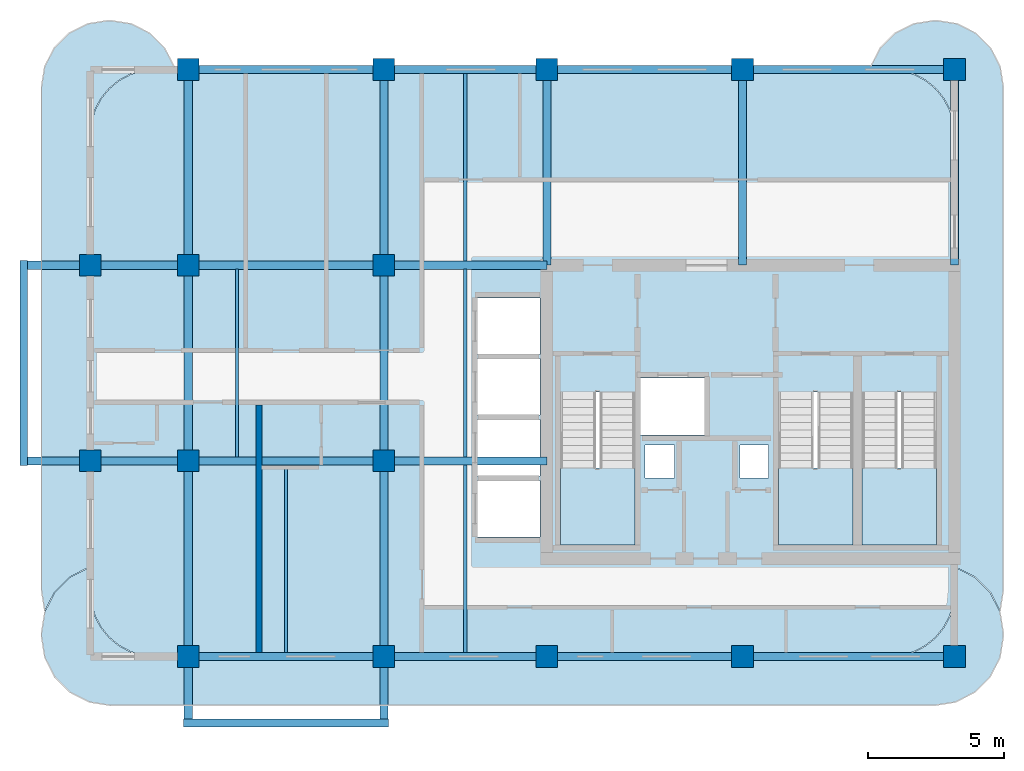
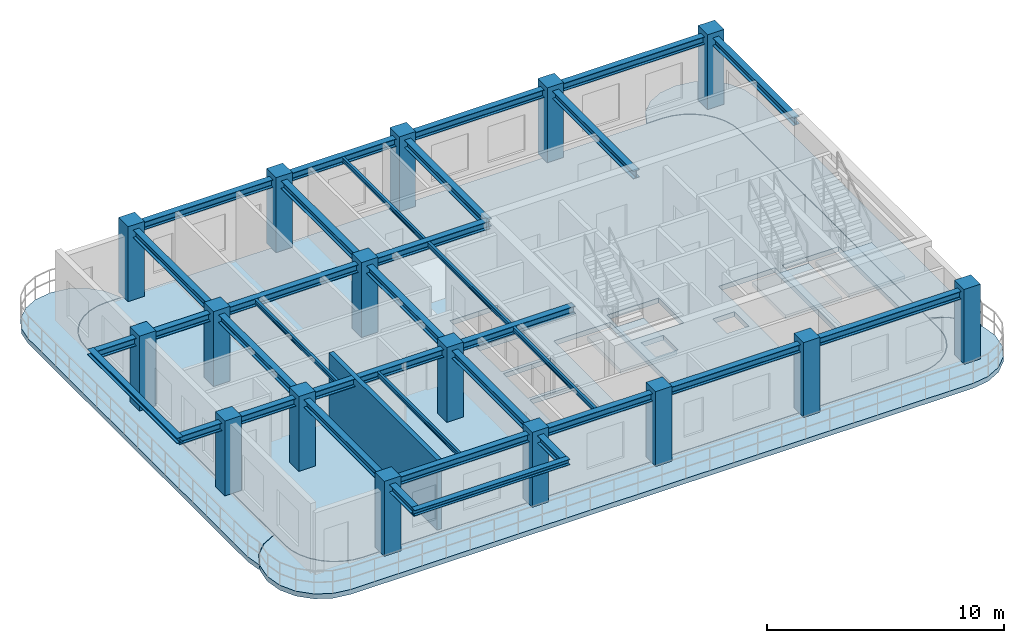
# One storey, part 1 of 7: 28 beams, 16 columns, 7 slabs, 1 wall, 3 elements without a shape of their own.
"""IFC4 building model written with IfcOpenShell, lengths in metres."""

from ifc_helpers import new_model, si_unit, derived_unit, direction, frame, frame_2d, origin, origin_2d, place, context, subcontext, project, spatial, polyline, rectangle, i_section, outline, extrude, source, transform, mapped, material, layer, layer_set, material_profile, profile_set, type_object, type_shapes, element, aggregate, save


model = new_model("IFC4")

# Units and contexts
model_context = context("Model", 3, precision=1e-05, world=origin(), true_north=direction((0.0, 1.0)))
body_context = subcontext(model_context, "Body", "Model", "MODEL_VIEW")
ifc_project = project(units=[si_unit("LENGTHUNIT", "METRE"), si_unit("AREAUNIT", "SQUARE_METRE"), si_unit("VOLUMEUNIT", "CUBIC_METRE"), si_unit("PLANEANGLEUNIT", "RADIAN"), si_unit("MASSUNIT", "GRAM", prefix="KILO"), si_unit("THERMODYNAMICTEMPERATUREUNIT", "KELVIN"), si_unit("POWERUNIT", "WATT"), derived_unit("THERMALTRANSMITTANCEUNIT", [(si_unit("POWERUNIT", "WATT"), 1), (si_unit("AREAUNIT", "SQUARE_METRE"), -1), (si_unit("THERMODYNAMICTEMPERATUREUNIT", "KELVIN"), -1)])], contexts=[model_context])

# Site, building, storey
site_placement = place(None, origin())
site = spatial("IfcSite", under=ifc_project, at=site_placement, CompositionType="ELEMENT")
building_placement = place(site_placement, origin())
building = spatial("IfcBuilding", under=site, at=building_placement, Name="Zahravan Archway Hotel and Residences", CompositionType="ELEMENT")
storey_placement = place(building_placement, frame((0.0, 0.0, 267.35009765625)))
storey = spatial("IfcBuildingStorey", under=building, at=storey_placement, Name="L67", CompositionType="ELEMENT", Elevation=267.35009765625)

# Columns
ifc_material_1 = material(Name="Concrete C50/60", Category="concrete")
ifc_material_profile_1 = material_profile(ifc_material_1, rectangle(XDim=0.800048828125, YDim=0.800048828125, at=origin_2d()), Name="RC-COL-800x800", Category="concrete")
ifc_profile_set_1 = profile_set([ifc_material_profile_1], Name="Concrete C50/60")
column_type = type_object("IfcColumnType", Name="COL-RC-800", PredefinedType="COLUMN", material=ifc_profile_set_1)
shared_shape_1 = source(origin(), body_context, "Body", "SweptSolid", [
    extrude(rectangle(XDim=0.800048828125, YDim=0.800048828125, at=origin_2d()), origin(), (0.0, 0.0, 1.0), 3.849853515625),
])
for number, where, z_axis, x_axis, name in (
    (1, (21.60009765625, 0.0, 0.0), (0.0, 0.0, 1.0), (1.0, 0.0, 0.0), "L67 Column 4-A"),
    (2, (21.60009765625, 7.199951171875, 0.0), (0.0, 0.0, 1.0), (1.0, 0.0, 0.0), "L67 Column 4-B"),
    (3, (21.60009765625, 14.39990234375, 0.0), (0.0, 0.0, 1.0), (1.0, 0.0, 0.0), "L67 Column 4-C"),
    (4, (21.60009765625, 21.60009765625, 0.0), (0.0, 0.0, 1.0), (1.0, 0.0, 0.0), "L67 Column 4-D"),
    (5, (28.800048828125, 0.0, 0.0), (0.0, 0.0, 1.0), (1.0, 0.0, 0.0), "L67 Column 5-A"),
    (6, (28.800048828125, 7.199951171875, 0.0), (0.0, 0.0, 1.0), (1.0, 0.0, 0.0), "L67 Column 5-B"),
    (7, (28.800048828125, 14.39990234375, 0.0), (0.0, 0.0, 1.0), (1.0, 0.0, 0.0), "L67 Column 5-C"),
    (8, (28.800048828125, 21.60009765625, 0.0), (0.0, 0.0, 1.0), (1.0, 0.0, 0.0), "L67 Column 5-D"),
    (9, (34.800048828125, 0.0, 0.0), (0.0, 0.0, 1.0), (1.0, 0.0, 0.0), "L67 Column 6-A"),
    (10, (34.800048828125, 21.60009765625, 0.0), (0.0, 0.0, 1.0), (1.0, 0.0, 0.0), "L67 Column 6-D"),
    (11, (42.0, 0.0, 0.0), (0.0, 0.0, 1.0), (1.0, 0.0, 0.0), "L67 Column 7-A"),
    (12, (42.0, 21.60009765625, 0.0), (0.0, 0.0, 1.0), (1.0, 0.0, 0.0), "L67 Column 7-D"),
    (13, (49.800048828125, 0.0, 0.0), (0.0, 0.0, 1.0), (1.0, 0.0, 0.0), "L67 Column 8-A"),
    (14, (49.800048828125, 21.60009765625, 0.0), (0.0, 0.0, 1.0), (1.0, 0.0, 0.0), "L67 Column 8-D"),
    (15, (18.0, 7.199951171875, 0.0), (0.0, 0.0, 1.0), (1.0, 0.0, 0.0), "L67 Column 3W-B"),
    (16, (18.0, 14.39990234375, 0.0), (0.0, 0.0, 1.0), (1.0, 0.0, 0.0), "L67 Column 3W-C"),
):
    element("IfcColumn", number, at=place(storey_placement, frame(where, z_axis=z_axis, x_axis=x_axis)), inside=storey, type_object=column_type, Name=name, PredefinedType="COLUMN", context=body_context, shape_type="MappedRepresentation", body=[
        mapped(shared_shape_1, transform((0.0, 0.0, 0.0), scale=1.0)),
    ])

# Beams
ifc_material_2 = material(Name="Structural Steel S355JR", Category="steel")
ifc_material_profile_2 = material_profile(ifc_material_2, i_section(OverallWidth=0.280029296875, OverallDepth=0.280029296875, WebThickness=0.010498046875, FlangeThickness=0.01806640625, FilletRadius=0.02392578125, at=origin_2d()), Name="HEB 280", Category="steel")
ifc_profile_set_2 = profile_set([ifc_material_profile_2], Name="Structural Steel S355JR")
beam_type_1 = type_object("IfcBeamType", Name="BM-SPN-HEB280", PredefinedType="SPANDREL", material=ifc_profile_set_2)
shared_shape_2 = source(origin(), body_context, "Body", "SweptSolid", [
    extrude(i_section(OverallWidth=0.280029296875, OverallDepth=0.280029296875, WebThickness=0.010498046875, FlangeThickness=0.01806640625, FilletRadius=0.02392578125, at=origin_2d()), origin(), (0.0, 0.0, 1.0), 7.56005859375),
])
type_shapes(beam_type_1, [shared_shape_2])
for number, where, z_axis, x_axis, name in (
    (17, (15.550048828125, 7.02001953125, 3.4599609375), (0.0, 1.0, 0.0), (-1.0, 0.0, 0.0), "L68 WA Balcony Edge Spandrel"),
    (18, (21.419921875, -2.449951171875, 3.4599609375), (1.0, 0.0, 0.0), (0.0, 1.0, 0.0), "L68 SA Balcony Edge Spandrel"),
):
    element("IfcBeam", number, at=place(storey_placement, frame(where, z_axis=z_axis, x_axis=x_axis)), inside=storey, type_object=beam_type_1, Name=name, PredefinedType="SPANDREL", context=body_context, shape_type="MappedRepresentation", body=[
        mapped(shared_shape_2, transform((0.0, 0.0, 0.0), scale=1.0)),
    ])
ifc_material_profile_3 = material_profile(ifc_material_2, i_section(OverallWidth=0.300048828125, OverallDepth=0.39990234375, WebThickness=0.013427734375, FlangeThickness=0.02392578125, FilletRadius=0.027099609375, at=origin_2d()), Name="HEB 400", Category="steel")
ifc_profile_set_3 = profile_set([ifc_material_profile_3], Name="Structural Steel S355JR")
beam_type_2 = type_object("IfcBeamType", Name="BM-PRI-HEB400", PredefinedType="BEAM", material=ifc_profile_set_3)
shared_shape_3 = source(origin(), body_context, "Body", "SweptSolid", [
    extrude(i_section(OverallWidth=0.300048828125, OverallDepth=0.39990234375, WebThickness=0.013427734375, FlangeThickness=0.02392578125, FilletRadius=0.027099609375, at=origin_2d()), origin(), (0.0, 0.0, 1.0), 7.199951171875),
])
type_shapes(beam_type_2, [shared_shape_3])
for number, where, z_axis, x_axis, name in (
    (19, (21.60009765625, 0.0, 3.39990234375), (1.0, 0.0, 0.0), (0.0, 1.0, 0.0), "L67 Primary Girder EW-01"),
    (20, (34.800048828125, 0.0, 3.39990234375), (1.0, 0.0, 0.0), (0.0, 1.0, 0.0), "L67 Primary Girder EW-03"),
    (21, (21.60009765625, 21.60009765625, 3.39990234375), (1.0, 0.0, 0.0), (0.0, 1.0, 0.0), "L67 Primary Girder EW-09"),
    (22, (34.800048828125, 21.60009765625, 3.39990234375), (1.0, 0.0, 0.0), (0.0, 1.0, 0.0), "L67 Primary Girder EW-11"),
    (23, (21.60009765625, 7.199951171875, 3.39990234375), (0.0, 1.0, 0.0), (-1.0, 0.0, 0.0), "L67 Primary Girder NS-14"),
    (24, (28.800048828125, 7.199951171875, 3.39990234375), (0.0, 1.0, 0.0), (-1.0, 0.0, 0.0), "L67 Primary Girder NS-17"),
):
    element("IfcBeam", number, at=place(storey_placement, frame(where, z_axis=z_axis, x_axis=x_axis)), inside=storey, type_object=beam_type_2, Name=name, PredefinedType="BEAM", context=body_context, shape_type="MappedRepresentation", body=[
        mapped(shared_shape_3, transform((0.0, 0.0, 0.0), scale=1.0)),
    ])
shared_shape_4 = source(origin(), body_context, "Body", "SweptSolid", [
    extrude(i_section(OverallWidth=0.300048828125, OverallDepth=0.39990234375, WebThickness=0.013427734375, FlangeThickness=0.02392578125, FilletRadius=0.027099609375, at=origin_2d()), origin(), (0.0, 0.0, 1.0), 6.0),
])
for number, where, z_axis, x_axis, name in (
    (25, (28.800048828125, 0.0, 3.39990234375), (1.0, 0.0, 0.0), (0.0, 1.0, 0.0), "L67 Primary Girder EW-02"),
    (26, (28.800048828125, 7.199951171875, 3.39990234375), (1.0, 0.0, 0.0), (0.0, 1.0, 0.0), "L67 Primary Girder EW-06"),
    (27, (28.800048828125, 14.39990234375, 3.39990234375), (1.0, 0.0, 0.0), (0.0, 1.0, 0.0), "L67 Primary Girder EW-08"),
    (28, (28.800048828125, 21.60009765625, 3.39990234375), (1.0, 0.0, 0.0), (0.0, 1.0, 0.0), "L67 Primary Girder EW-10"),
):
    element("IfcBeam", number, at=place(storey_placement, frame(where, z_axis=z_axis, x_axis=x_axis)), inside=storey, type_object=beam_type_2, Name=name, PredefinedType="BEAM", context=body_context, shape_type="MappedRepresentation", body=[
        mapped(shared_shape_4, transform((0.0, 0.0, 0.0), scale=1.0)),
    ])
shared_shape_5 = source(origin(), body_context, "Body", "SweptSolid", [
    extrude(i_section(OverallWidth=0.300048828125, OverallDepth=0.39990234375, WebThickness=0.013427734375, FlangeThickness=0.02392578125, FilletRadius=0.027099609375, at=origin_2d()), origin(), (0.0, 0.0, 1.0), 7.800048828125),
])
for number, where, z_axis, x_axis, name in (
    (29, (42.0, 0.0, 3.39990234375), (1.0, 0.0, 0.0), (0.0, 1.0, 0.0), "L67 Primary Girder EW-04"),
    (30, (42.0, 21.60009765625, 3.39990234375), (1.0, 0.0, 0.0), (0.0, 1.0, 0.0), "L67 Primary Girder EW-12"),
):
    element("IfcBeam", number, at=place(storey_placement, frame(where, z_axis=z_axis, x_axis=x_axis)), inside=storey, type_object=beam_type_2, Name=name, PredefinedType="BEAM", context=body_context, shape_type="MappedRepresentation", body=[
        mapped(shared_shape_5, transform((0.0, 0.0, 0.0), scale=1.0)),
    ])
shared_shape_6 = source(origin(), body_context, "Body", "SweptSolid", [
    extrude(i_section(OverallWidth=0.300048828125, OverallDepth=0.39990234375, WebThickness=0.013427734375, FlangeThickness=0.02392578125, FilletRadius=0.027099609375, at=origin_2d()), origin(), (0.0, 0.0, 1.0), 13.25),
])
for number, where, z_axis, x_axis, name in (
    (31, (15.550048828125, 7.199951171875, 3.39990234375), (1.0, 0.0, 0.0), (0.0, 1.0, 0.0), "L67 Primary Girder EW-05"),
    (32, (15.550048828125, 14.39990234375, 3.39990234375), (1.0, 0.0, 0.0), (0.0, 1.0, 0.0), "L67 Primary Girder EW-07"),
):
    element("IfcBeam", number, at=place(storey_placement, frame(where, z_axis=z_axis, x_axis=x_axis)), inside=storey, type_object=beam_type_2, Name=name, PredefinedType="BEAM", context=body_context, shape_type="MappedRepresentation", body=[
        mapped(shared_shape_6, transform((0.0, 0.0, 0.0), scale=1.0)),
    ])
shared_shape_7 = source(origin(), body_context, "Body", "SweptSolid", [
    extrude(i_section(OverallWidth=0.300048828125, OverallDepth=0.39990234375, WebThickness=0.013427734375, FlangeThickness=0.02392578125, FilletRadius=0.027099609375, at=origin_2d()), origin(), (0.0, 0.0, 1.0), 9.64990234375),
])
for number, where, z_axis, x_axis, name in (
    (33, (21.60009765625, -2.449951171875, 3.39990234375), (0.0, 1.0, 0.0), (-1.0, 0.0, 0.0), "L67 Primary Girder NS-13"),
    (34, (28.800048828125, -2.449951171875, 3.39990234375), (0.0, 1.0, 0.0), (-1.0, 0.0, 0.0), "L67 Primary Girder NS-16"),
):
    element("IfcBeam", number, at=place(storey_placement, frame(where, z_axis=z_axis, x_axis=x_axis)), inside=storey, type_object=beam_type_2, Name=name, PredefinedType="BEAM", context=body_context, shape_type="MappedRepresentation", body=[
        mapped(shared_shape_7, transform((0.0, 0.0, 0.0), scale=1.0)),
    ])
shared_shape_8 = source(origin(), body_context, "Body", "SweptSolid", [
    extrude(i_section(OverallWidth=0.300048828125, OverallDepth=0.39990234375, WebThickness=0.013427734375, FlangeThickness=0.02392578125, FilletRadius=0.027099609375, at=origin_2d()), origin(), (0.0, 0.0, 1.0), 7.2001953125),
])
for number, where, z_axis, x_axis, name in (
    (35, (21.60009765625, 14.39990234375, 3.39990234375), (0.0, 1.0, 0.0), (-1.0, 0.0, 0.0), "L67 Primary Girder NS-15"),
    (36, (28.800048828125, 14.39990234375, 3.39990234375), (0.0, 1.0, 0.0), (-1.0, 0.0, 0.0), "L67 Primary Girder NS-18"),
    (37, (34.800048828125, 14.39990234375, 3.39990234375), (0.0, 1.0, 0.0), (-1.0, 0.0, 0.0), "L67 Primary Girder NS-19"),
    (38, (42.0, 14.39990234375, 3.39990234375), (0.0, 1.0, 0.0), (-1.0, 0.0, 0.0), "L67 Primary Girder NS-20"),
    (39, (49.800048828125, 14.39990234375, 3.39990234375), (0.0, 1.0, 0.0), (-1.0, 0.0, 0.0), "L67 Primary Girder NS-21"),
):
    element("IfcBeam", number, at=place(storey_placement, frame(where, z_axis=z_axis, x_axis=x_axis)), inside=storey, type_object=beam_type_2, Name=name, PredefinedType="BEAM", context=body_context, shape_type="MappedRepresentation", body=[
        mapped(shared_shape_8, transform((0.0, 0.0, 0.0), scale=1.0)),
    ])
ifc_material_profile_4 = material_profile(ifc_material_2, i_section(OverallWidth=0.1201171875, OverallDepth=0.239990234375, WebThickness=0.006103515625, FlangeThickness=0.009765625, FilletRadius=0.014892578125, at=origin_2d()), Name="IPE 240", Category="steel")
ifc_profile_set_4 = profile_set([ifc_material_profile_4], Name="Structural Steel S355JR")
beam_type_3 = type_object("IfcBeamType", Name="BM-JST-IPE240", PredefinedType="JOIST", material=ifc_profile_set_4)
shared_shape_9 = source(origin(), body_context, "Body", "SweptSolid", [
    extrude(i_section(OverallWidth=0.1201171875, OverallDepth=0.239990234375, WebThickness=0.006103515625, FlangeThickness=0.009765625, FilletRadius=0.014892578125, at=origin_2d()), origin(), (0.0, 0.0, 1.0), 6.904052734375),
])
type_shapes(beam_type_3, [shared_shape_9])
for number, where, z_axis, x_axis, name in (
    (40, (25.199951171875, 0.14794921875, 3.47998046875), (0.0, 1.0, 0.0), (-1.0, 0.0, 0.0), "L67 Composite Floor Joist 01"),
    (41, (31.800048828125, 0.14794921875, 3.47998046875), (0.0, 1.0, 0.0), (-1.0, 0.0, 0.0), "L67 Composite Floor Joist 02"),
    (42, (23.39990234375, 7.347900390625, 3.47998046875), (0.0, 1.0, 0.0), (-1.0, 0.0, 0.0), "L67 Composite Floor Joist 03"),
    (43, (31.800048828125, 7.347900390625, 3.47998046875), (0.0, 1.0, 0.0), (-1.0, 0.0, 0.0), "L67 Composite Floor Joist 04"),
):
    element("IfcBeam", number, at=place(storey_placement, frame(where, z_axis=z_axis, x_axis=x_axis)), inside=storey, type_object=beam_type_3, Name=name, PredefinedType="JOIST", context=body_context, shape_type="MappedRepresentation", body=[
        mapped(shared_shape_9, transform((0.0, 0.0, 0.0), scale=1.0)),
    ])
shared_shape_10 = source(origin(), body_context, "Body", "SweptSolid", [
    extrude(i_section(OverallWidth=0.1201171875, OverallDepth=0.239990234375, WebThickness=0.006103515625, FlangeThickness=0.009765625, FilletRadius=0.014892578125, at=origin_2d()), origin(), (0.0, 0.0, 1.0), 6.90380859375),
])
beam_placement = place(storey_placement, frame((31.800048828125, 14.548095703125, 3.47998046875), z_axis=(0.0, 1.0, 0.0), x_axis=(-1.0, 0.0, 0.0)))
element("IfcBeam", 44, at=beam_placement, inside=storey, type_object=beam_type_3, Name="L67 Composite Floor Joist 05", PredefinedType="JOIST", context=body_context, shape_type="MappedRepresentation", body=[
    mapped(shared_shape_10, transform((0.0, 0.0, 0.0), scale=1.0)),
])

# Slabs
ifc_material_3 = material(Name="Concrete C45/55", Category="concrete")
ifc_layer_1 = layer(ifc_material_3, 0.25, Name="Concrete C45/55", Category="concrete")
ifc_layer_set_1 = layer_set([ifc_layer_1], Name="Concrete C45/55")
slab_type_1 = type_object("IfcSlabType", Name="SLB-BALC-250", PredefinedType="FLOOR", material=ifc_layer_set_1)
slab_1_placement = place(storey_placement, frame((0.0, 0.0, -0.25)))
element("IfcSlab", 45, at=slab_1_placement, inside=storey, type_object=slab_type_1, Name="L67 Wing A South Rounded Balcony Band", PredefinedType="FLOOR", context=body_context, shape_type="SweptSolid", body=[
    extrude(outline(polyline([(49.837890625, 3.275146484375), (50.548828125, 2.9130859375), (51.113037109375, 2.348876953125), (51.47509765625, 1.637939453125), (51.60009765625, 0.85009765625), (51.60009765625, 0.75), (51.47509765625, -0.0380859375), (51.113037109375, -0.748779296875), (50.548828125, -1.31298828125), (49.837890625, -1.67529296875), (49.050048828125, -1.800048828125), (18.75, -1.800048828125), (17.9619140625, -1.67529296875), (17.251220703125, -1.31298828125), (16.68701171875, -0.748779296875), (16.32470703125, -0.0380859375), (16.199951171875, 0.75), (16.199951171875, 0.85009765625), (16.32470703125, 1.637939453125), (16.68701171875, 2.348876953125), (17.251220703125, 2.9130859375), (17.9619140625, 3.275146484375), (17.97998046875, 3.278076171875), (17.97998046875, 2.39990234375), (17.97998046875, 2.39794921875), (18.026123046875, 1.9296875), (18.026611328125, 1.927978515625), (18.027099609375, 1.926025390625), (18.16357421875, 1.475830078125), (18.164306640625, 1.473876953125), (18.1650390625, 1.47216796875), (18.386962890625, 1.05712890625), (18.387939453125, 1.055419921875), (18.388916015625, 1.053955078125), (18.6875, 0.690185546875), (18.688720703125, 0.688720703125), (18.690185546875, 0.6875), (19.053955078125, 0.388916015625), (19.055419921875, 0.387939453125), (19.05712890625, 0.386962890625), (19.47216796875, 0.1650390625), (19.473876953125, 0.164306640625), (19.475830078125, 0.16357421875), (19.926025390625, 0.027099609375), (19.927978515625, 0.026611328125), (19.9296875, 0.026123046875), (20.39794921875, -0.02001953125), (20.39990234375, -0.02001953125), (47.39990234375, -0.02001953125), (47.402099609375, -0.02001953125), (47.8701171875, 0.026123046875), (47.8720703125, 0.026611328125), (47.8740234375, 0.027099609375), (48.32421875, 0.16357421875), (48.326171875, 0.164306640625), (48.327880859375, 0.1650390625), (48.742919921875, 0.386962890625), (48.744384765625, 0.387939453125), (48.74609375, 0.388916015625), (49.10986328125, 0.6875), (49.111083984375, 0.688720703125), (49.112548828125, 0.690185546875), (49.410888671875, 1.053955078125), (49.412109375, 1.055419921875), (49.4130859375, 1.05712890625), (49.635009765625, 1.47216796875), (49.6357421875, 1.473876953125), (49.636474609375, 1.475830078125), (49.77294921875, 1.926025390625), (49.7734375, 1.927978515625), (49.773681640625, 1.9296875), (49.81982421875, 2.39794921875), (49.820068359375, 2.39990234375), (49.820068359375, 3.278076171875), (49.837890625, 3.275146484375)])), origin(), (0.0, 0.0, 1.0), 0.25),
])
slab_2_placement = place(storey_placement, frame((0.0, 0.0, -0.25)))
element("IfcSlab", 46, at=slab_2_placement, inside=storey, type_object=slab_type_1, Name="L67 Wing A East Rounded Balcony Band", PredefinedType="FLOOR", context=body_context, shape_type="SweptSolid", body=[
    extrude(outline(polyline([(46.719970703125, 21.70703125), (47.06787109375, 22.39013671875), (47.60986328125, 22.93212890625), (48.29296875, 23.280029296875), (49.050048828125, 23.39990234375), (49.14990234375, 23.39990234375), (49.906982421875, 23.280029296875), (50.590087890625, 22.93212890625), (51.132080078125, 22.39013671875), (51.47998046875, 21.70703125), (51.60009765625, 20.949951171875), (51.60009765625, 2.449951171875), (51.47998046875, 1.69287109375), (51.474853515625, 1.6826171875), (51.130859375, 2.35791015625), (51.1298828125, 2.35986328125), (51.12841796875, 2.361572265625), (51.127197265625, 2.363037109375), (50.56298828125, 2.927001953125), (50.5615234375, 2.928466796875), (50.559814453125, 2.9296875), (50.55810546875, 2.930908203125), (49.84716796875, 3.29296875), (49.84521484375, 3.2939453125), (49.84326171875, 3.29443359375), (49.841064453125, 3.294921875), (49.822998046875, 3.2978515625), (49.8212890625, 3.298095703125), (49.820068359375, 3.298095703125), (49.820068359375, 19.199951171875), (49.81982421875, 19.201904296875), (49.773681640625, 19.670166015625), (49.7734375, 19.672119140625), (49.77294921875, 19.674072265625), (49.636474609375, 20.124267578125), (49.6357421875, 20.126220703125), (49.635009765625, 20.127685546875), (49.4130859375, 20.542724609375), (49.412109375, 20.54443359375), (49.410888671875, 20.546142578125), (49.112548828125, 20.909912109375), (49.111083984375, 20.9111328125), (49.10986328125, 20.91259765625), (48.74609375, 21.2109375), (48.744384765625, 21.212158203125), (48.742919921875, 21.213134765625), (48.327880859375, 21.434814453125), (48.326171875, 21.435791015625), (48.32421875, 21.436279296875), (47.8740234375, 21.572998046875), (47.8720703125, 21.573486328125), (47.8701171875, 21.57373046875), (47.402099609375, 21.619873046875), (47.39990234375, 21.6201171875), (46.7060546875, 21.6201171875), (46.719970703125, 21.70703125)])), origin(), (0.0, 0.0, 1.0), 0.25),
])
slab_3_placement = place(storey_placement, frame((0.0, 0.0, -0.25)))
element("IfcSlab", 47, at=slab_3_placement, inside=storey, type_object=slab_type_1, Name="L67 Wing A West Rounded Balcony Band", PredefinedType="FLOOR", context=body_context, shape_type="SweptSolid", body=[
    extrude(outline(polyline([(16.31982421875, 1.69287109375), (16.199951171875, 2.449951171875), (16.199951171875, 20.949951171875), (16.31982421875, 21.70703125), (16.66796875, 22.39013671875), (17.2099609375, 22.93212890625), (17.892822265625, 23.280029296875), (18.64990234375, 23.39990234375), (18.75, 23.39990234375), (19.507080078125, 23.280029296875), (20.190185546875, 22.93212890625), (20.732177734375, 22.39013671875), (21.080078125, 21.70703125), (21.093994140625, 21.6201171875), (20.39990234375, 21.6201171875), (20.39794921875, 21.619873046875), (19.9296875, 21.57373046875), (19.927978515625, 21.573486328125), (19.926025390625, 21.572998046875), (19.475830078125, 21.436279296875), (19.473876953125, 21.435791015625), (19.47216796875, 21.434814453125), (19.05712890625, 21.213134765625), (19.055419921875, 21.212158203125), (19.053955078125, 21.2109375), (18.690185546875, 20.91259765625), (18.688720703125, 20.9111328125), (18.6875, 20.909912109375), (18.388916015625, 20.546142578125), (18.387939453125, 20.54443359375), (18.386962890625, 20.542724609375), (18.1650390625, 20.127685546875), (18.164306640625, 20.126220703125), (18.16357421875, 20.124267578125), (18.027099609375, 19.674072265625), (18.026611328125, 19.672119140625), (18.026123046875, 19.670166015625), (17.97998046875, 19.201904296875), (17.97998046875, 19.199951171875), (17.97998046875, 3.298095703125), (17.978759765625, 3.298095703125), (17.976806640625, 3.2978515625), (17.958984375, 3.294921875), (17.956787109375, 3.29443359375), (17.954833984375, 3.2939453125), (17.952880859375, 3.29296875), (17.241943359375, 2.930908203125), (17.240234375, 2.9296875), (17.238525390625, 2.928466796875), (17.237060546875, 2.927001953125), (16.6728515625, 2.363037109375), (16.67138671875, 2.361572265625), (16.670166015625, 2.35986328125), (16.669189453125, 2.35791015625), (16.3251953125, 1.6826171875), (16.31982421875, 1.69287109375)])), origin(), (0.0, 0.0, 1.0), 0.25),
])
ifc_layer_2 = layer(ifc_material_3, 0.25, Name="Concrete C45/55", Category="concrete")
ifc_layer_set_2 = layer_set([ifc_layer_2], Name="Concrete C45/55")
slab_type_2 = type_object("IfcSlabType", Name="SLB-FLR-250", PredefinedType="FLOOR", material=ifc_layer_set_2)
slab_4_placement = place(storey_placement, frame((0.0, 0.0, -0.25)))
element("IfcSlab", 48, at=slab_4_placement, inside=storey, type_object=slab_type_2, Name="L67 Floor Slab WA", PredefinedType="FLOOR", context=body_context, shape_type="SweptSolid", body=[
    extrude(outline(polyline([(47.39990234375, 0.0), (47.8681640625, 0.046142578125), (48.318359375, 0.1826171875), (48.7333984375, 0.404541015625), (49.09716796875, 0.702880859375), (49.3955078125, 1.066650390625), (49.6171875, 1.481689453125), (49.75390625, 1.931884765625), (49.800048828125, 2.39990234375), (49.800048828125, 19.199951171875), (49.75390625, 19.668212890625), (49.6171875, 20.118408203125), (49.3955078125, 20.533447265625), (49.09716796875, 20.897216796875), (48.7333984375, 21.195556640625), (48.318359375, 21.417236328125), (47.8681640625, 21.553955078125), (47.39990234375, 21.60009765625), (20.39990234375, 21.60009765625), (19.931884765625, 21.553955078125), (19.481689453125, 21.417236328125), (19.066650390625, 21.195556640625), (18.702880859375, 20.897216796875), (18.404541015625, 20.533447265625), (18.1826171875, 20.118408203125), (18.046142578125, 19.668212890625), (18.0, 19.199951171875), (18.0, 2.39990234375), (18.046142578125, 1.931884765625), (18.1826171875, 1.481689453125), (18.404541015625, 1.066650390625), (18.702880859375, 0.702880859375), (19.066650390625, 0.404541015625), (19.481689453125, 0.1826171875), (19.931884765625, 0.046142578125), (20.39990234375, 0.0), (47.39990234375, 0.0)]), holes=[polyline([(35.300048828125, 9.72998046875), (35.300048828125, 4.10009765625), (38.0400390625, 4.10009765625), (38.0400390625, 9.72998046875), (35.300048828125, 9.72998046875)]), polyline([(43.320068359375, 9.72998046875), (43.320068359375, 4.10009765625), (46.06005859375, 4.10009765625), (46.06005859375, 9.72998046875), (43.320068359375, 9.72998046875)]), polyline([(46.39990234375, 9.72998046875), (46.39990234375, 4.10009765625), (49.139892578125, 4.10009765625), (49.139892578125, 9.72998046875), (46.39990234375, 9.72998046875)]), polyline([(38.179931640625, 8.14990234375), (40.699951171875, 8.14990234375), (40.699951171875, 10.25), (38.179931640625, 10.25), (38.179931640625, 8.14990234375)]), polyline([(32.25, 4.39990234375), (34.550048828125, 4.39990234375), (34.550048828125, 6.47998046875), (32.25, 6.47998046875), (32.25, 4.39990234375)]), polyline([(32.25, 6.639892578125), (34.550048828125, 6.639892578125), (34.550048828125, 8.719970703125), (32.25, 8.719970703125), (32.25, 6.639892578125)]), polyline([(32.25, 8.8798828125), (34.550048828125, 8.8798828125), (34.550048828125, 10.9599609375), (32.25, 10.9599609375), (32.25, 8.8798828125)]), polyline([(32.25, 11.1201171875), (34.550048828125, 11.1201171875), (34.550048828125, 13.199951171875), (32.25, 13.199951171875), (32.25, 11.1201171875)]), polyline([(38.419921875, 6.56005859375), (39.5, 6.56005859375), (39.5, 7.780029296875), (38.419921875, 7.780029296875), (38.419921875, 6.56005859375)]), polyline([(41.89990234375, 6.56005859375), (42.9599609375, 6.56005859375), (42.9599609375, 7.780029296875), (41.89990234375, 7.780029296875), (41.89990234375, 6.56005859375)])]), origin(), (0.0, 0.0, 1.0), 0.25),
])

# Stair, slab
stair_type = type_object("IfcStairType", Name="STR-CORE-1300", PredefinedType="HALF_TURN_STAIR", material=ifc_material_1)
stair_1_placement = place(storey_placement, origin())
stair_1 = element("IfcStair", 49, at=stair_1_placement, inside=storey, type_object=stair_type, Name="L67 Core A Exit Stair 1", PredefinedType="HALF_TURN_STAIR")
ifc_layer_3 = layer(ifc_material_1, 0.199951171875, Name="Concrete C50/60", Category="concrete")
ifc_layer_set_3 = layer_set([ifc_layer_3], Name="Concrete C50/60")
slab_type_3 = type_object("IfcSlabType", Name="SLB-LND-200", PredefinedType="LANDING", material=ifc_layer_set_3)
slab_5_placement = place(storey_placement, frame((0.0, 0.0, 1.724853515625)))
slab_5 = element("IfcSlab", 50, at=slab_5_placement, type_object=slab_type_3, Name="ST-A1 landing 1", PredefinedType="LANDING", context=body_context, shape_type="SweptSolid", body=[
    extrude(outline(polyline([(35.300048828125, 6.929931640625), (35.300048828125, 4.10009765625), (38.0400390625, 4.10009765625), (38.0400390625, 6.929931640625), (35.300048828125, 6.929931640625)])), origin(), (0.0, 0.0, 1.0), 0.199951171875),
])
aggregate(stair_1, [slab_5])

stair_2_placement = place(storey_placement, origin())
stair_2 = element("IfcStair", 51, at=stair_2_placement, inside=storey, type_object=stair_type, Name="L67 Core A Exit Stair 2", PredefinedType="HALF_TURN_STAIR")
slab_6_placement = place(storey_placement, frame((0.0, 0.0, 1.724853515625)))
slab_6 = element("IfcSlab", 52, at=slab_6_placement, type_object=slab_type_3, Name="ST-A2 landing 1", PredefinedType="LANDING", context=body_context, shape_type="SweptSolid", body=[
    extrude(outline(polyline([(43.320068359375, 6.929931640625), (43.320068359375, 4.10009765625), (46.06005859375, 4.10009765625), (46.06005859375, 6.929931640625), (43.320068359375, 6.929931640625)])), origin(), (0.0, 0.0, 1.0), 0.199951171875),
])
aggregate(stair_2, [slab_6])

stair_3_placement = place(storey_placement, origin())
stair_3 = element("IfcStair", 53, at=stair_3_placement, inside=storey, type_object=stair_type, Name="L67 Core A Exit Stair 3", PredefinedType="HALF_TURN_STAIR")
slab_7_placement = place(storey_placement, frame((0.0, 0.0, 1.724853515625)))
slab_7 = element("IfcSlab", 54, at=slab_7_placement, type_object=slab_type_3, Name="ST-A3 landing 1", PredefinedType="LANDING", context=body_context, shape_type="SweptSolid", body=[
    extrude(outline(polyline([(46.39990234375, 6.929931640625), (46.39990234375, 4.10009765625), (49.139892578125, 4.10009765625), (49.139892578125, 6.929931640625), (46.39990234375, 6.929931640625)])), origin(), (0.0, 0.0, 1.0), 0.199951171875),
])
aggregate(stair_3, [slab_7])

# Wall
ifc_material_4 = material(Name="Fire-Rated Gypsum & Concrete Block", Category="concrete")
ifc_layer_4 = layer(ifc_material_4, 0.219970703125, Name="Fire-Rated Gypsum & Concrete Block", Category="concrete")
ifc_layer_set_4 = layer_set([ifc_layer_4], Name="Fire-Rated Gypsum & Concrete Block")
wall_type = type_object("IfcWallType", Name="PW-COMP-220", PredefinedType="PARTITIONING", material=ifc_layer_set_4)
wall_placement = place(storey_placement, frame((24.199951171875, 0.14794921875, 0.0), z_axis=(0.0, 0.0, 1.0), x_axis=(0.0, 1.0, 0.0)))
element("IfcWall", 55, at=wall_placement, inside=storey, type_object=wall_type, Name="L67 Partition WAS-SBK2", PredefinedType="PARTITIONING", context=body_context, shape_type="SweptSolid", body=[
    extrude(rectangle(XDim=9.112060546875, YDim=0.219970703125, at=frame_2d((4.55615234375, 0.0))), origin(), (0.0, 0.0, 1.0), 3.599853515625),
])

save(model, "model.ifc")
